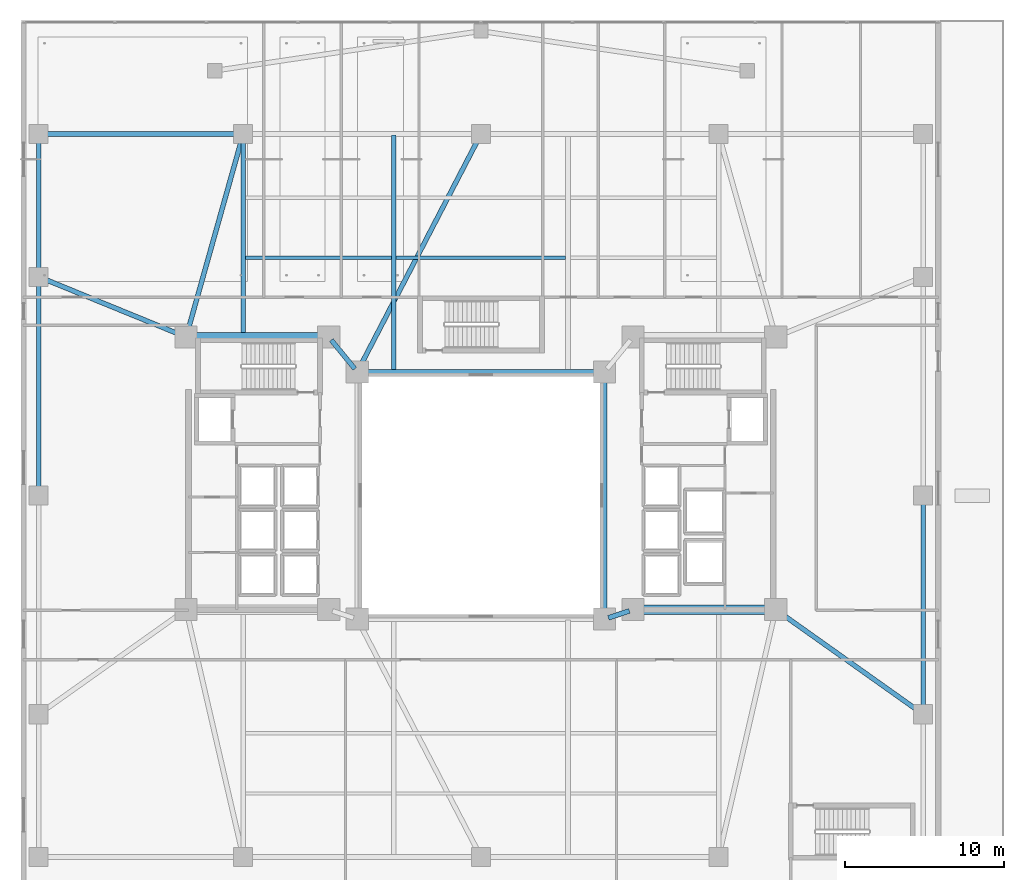
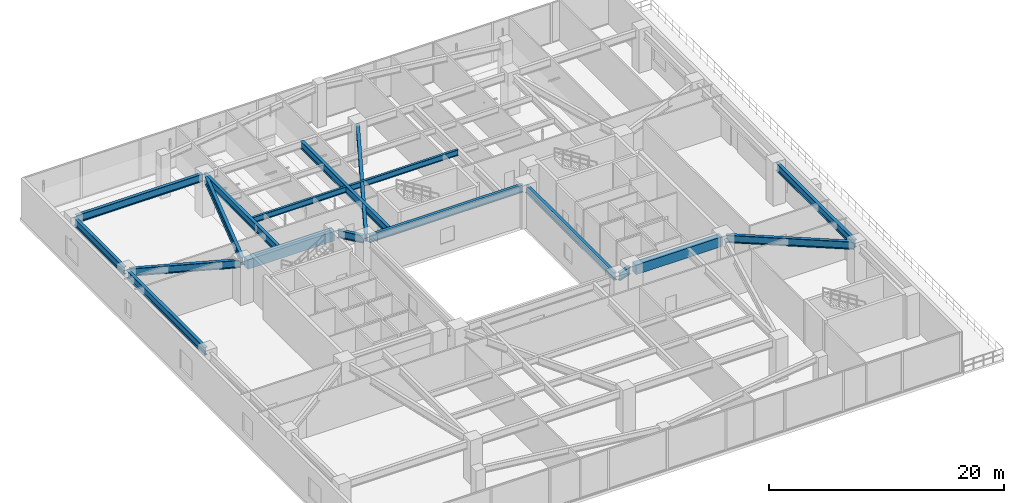
# One storey, part 9 of 27: 18 beams.
"""IFC4 building model written with IfcOpenShell, lengths in metres."""

from ifc_helpers import new_model, si_unit, direction, frame, origin, origin_2d, place, context, subcontext, project, spatial, rectangle, i_section, extrude, material, material_profile, profile_set, type_object, element, save


model = new_model("IFC4")

# Units and contexts
model_context = context("Model", 3, precision=1e-05, world=origin(), true_north=direction((0.0, 1.0)))
body_context = subcontext(model_context, "Body", "Model", "MODEL_VIEW")
ifc_project = project(units=[si_unit("LENGTHUNIT", "METRE"), si_unit("AREAUNIT", "SQUARE_METRE"), si_unit("VOLUMEUNIT", "CUBIC_METRE"), si_unit("PLANEANGLEUNIT", "RADIAN"), si_unit("MASSUNIT", "GRAM", prefix="KILO")], contexts=[model_context])

# Site, building, storey
site_placement = place(None, origin())
site = spatial("IfcSite", under=ifc_project, at=site_placement, CompositionType="ELEMENT")
building_placement = place(site_placement, origin())
building = spatial("IfcBuilding", under=site, at=building_placement, Name="Tarnavaz Court Tower", CompositionType="ELEMENT")
storey_placement = place(building_placement, frame((0.0, 0.0, 9.89990234375)))
storey = spatial("IfcBuildingStorey", under=building, at=storey_placement, Name="L02", CompositionType="ELEMENT", Elevation=9.89990234375)

# Beams
ifc_material_1 = material(Name="Concrete C60/75", Category="concrete")
ifc_material_profile_1 = material_profile(ifc_material_1, rectangle(XDim=0.60009765625, YDim=1.0, at=origin_2d()), Name="RC 600X1000")
ifc_profile_set_1 = profile_set([ifc_material_profile_1], Name="Concrete C60/75")
beam_type_1 = type_object("IfcBeamType", Name="BM-CB1000", PredefinedType="LINTEL", material=ifc_profile_set_1)
for number, where, z_axis, x_axis, name in (
    (1, (-18.35009765625, 10.0, 3.7001953125), (1.0, 0.0, 0.0), (0.0, 1.0, 0.0), "L02 Beam CW-NO-CW-NI"),
    (2, (18.35009765625, -7.199951171875, 3.7001953125), (-1.0, 0.0, 0.0), (0.0, -1.0, 0.0), "L02 Beam CE-SO-CE-SI"),
):
    element("IfcBeam", number, at=place(storey_placement, frame(where, z_axis=z_axis, x_axis=x_axis)), inside=storey, type_object=beam_type_1, Name=name, PredefinedType="LINTEL", context=body_context, shape_type="SweptSolid", body=[
        extrude(rectangle(XDim=0.60009765625, YDim=1.0, at=origin_2d()), origin(), (0.0, 0.0, 1.0), 8.5),
    ])
ifc_material_2 = material(Name="Steel S355", Category="steel")
ifc_material_profile_2 = material_profile(ifc_material_2, i_section(OverallWidth=0.300048828125, OverallDepth=0.800048828125, WebThickness=0.017578125, FlangeThickness=0.032958984375, FilletRadius=0.030029296875, at=origin_2d()), Name="HEB 800")
ifc_profile_set_2 = profile_set([ifc_material_profile_2], Name="Steel S355")
beam_type_2 = type_object("IfcBeamType", Name="BM-G-HEB800", PredefinedType="USERDEFINED", material=ifc_profile_set_2)
for number, where, z_axis, x_axis, name in (
    (3, (-7.550048828125, 7.800048828125, 3.800048828125), (1.0, 0.0, 0.0), (0.0, 1.0, 0.0), "L02 Beam IW-NW-IW-NE"),
    (4, (7.800048828125, -7.550048828125, 3.800048828125), (0.0, 1.0, 0.0), (-1.0, 0.0, 0.0), "L02 Beam IW-SE-IW-NE"),
):
    element("IfcBeam", number, at=place(storey_placement, frame(where, z_axis=z_axis, x_axis=x_axis)), inside=storey, type_object=beam_type_2, Name=name, ObjectType="GIRDER", PredefinedType="USERDEFINED", context=body_context, shape_type="SweptSolid", body=[
        extrude(i_section(OverallWidth=0.300048828125, OverallDepth=0.800048828125, WebThickness=0.017578125, FlangeThickness=0.032958984375, FilletRadius=0.030029296875, at=origin_2d()), origin(), (0.0, 0.0, 1.0), 15.10009765625),
    ])
beam_1_placement = place(storey_placement, frame((9.36279296875, -7.279052734375, 3.800048828125), z_axis=(-0.948683298051, -0.316227766017, 0.0), x_axis=(0.316227766017, -0.948683298051, 0.0)))
element("IfcBeam", 5, at=beam_1_placement, inside=storey, type_object=beam_type_2, Name="L02 Beam CE-SI-IW-SE", ObjectType="GIRDER", PredefinedType="USERDEFINED", context=body_context, shape_type="SweptSolid", body=[
    extrude(i_section(OverallWidth=0.300048828125, OverallDepth=0.800048828125, WebThickness=0.017578125, FlangeThickness=0.032958984375, FilletRadius=0.030029296875, at=origin_2d()), origin(), (0.0, 0.0, 1.0), 1.3974609375),
])
beam_2_placement = place(storey_placement, frame((-9.441650390625, 9.806396484375, 3.800048828125), z_axis=(0.633249141033, -0.773948012066, 0.0), x_axis=(0.773948012066, 0.633249141033, 0.0)))
element("IfcBeam", 6, at=beam_2_placement, inside=storey, type_object=beam_type_2, Name="L02 Beam CW-NI-IW-NW", ObjectType="GIRDER", PredefinedType="USERDEFINED", context=body_context, shape_type="SweptSolid", body=[
    extrude(i_section(OverallWidth=0.300048828125, OverallDepth=0.800048828125, WebThickness=0.017578125, FlangeThickness=0.032958984375, FilletRadius=0.030029296875, at=origin_2d()), origin(), (0.0, 0.0, 1.0), 2.342529296875),
])
beam_3_placement = place(storey_placement, frame((-27.64990234375, 22.800048828125, 3.800048828125), z_axis=(1.0, 0.0, 0.0), x_axis=(0.0, 1.0, 0.0)))
element("IfcBeam", 7, at=beam_3_placement, inside=storey, type_object=beam_type_2, Name="L02 Beam PM-PM-NW-PM-N1", ObjectType="GIRDER", PredefinedType="USERDEFINED", context=body_context, shape_type="SweptSolid", body=[
    extrude(i_section(OverallWidth=0.300048828125, OverallDepth=0.800048828125, WebThickness=0.017578125, FlangeThickness=0.032958984375, FilletRadius=0.030029296875, at=origin_2d()), origin(), (0.0, 0.0, 1.0), 12.39990234375),
])
beam_4_placement = place(storey_placement, frame((-27.89990234375, 0.25, 3.800048828125), z_axis=(0.0, 1.0, 0.0), x_axis=(-1.0, 0.0, 0.0)))
element("IfcBeam", 8, at=beam_4_placement, inside=storey, type_object=beam_type_2, Name="L02 Beam PM-PM-W2-PM-W3", ObjectType="GIRDER", PredefinedType="USERDEFINED", context=body_context, shape_type="SweptSolid", body=[
    extrude(i_section(OverallWidth=0.300048828125, OverallDepth=0.800048828125, WebThickness=0.017578125, FlangeThickness=0.032958984375, FilletRadius=0.030029296875, at=origin_2d()), origin(), (0.0, 0.0, 1.0), 13.300048828125),
])
beam_5_placement = place(storey_placement, frame((-27.89990234375, 14.050048828125, 3.800048828125), z_axis=(0.0, 1.0, 0.0), x_axis=(-1.0, 0.0, 0.0)))
element("IfcBeam", 9, at=beam_5_placement, inside=storey, type_object=beam_type_2, Name="L02 Beam PM-PM-W3-PM-NW", ObjectType="GIRDER", PredefinedType="USERDEFINED", context=body_context, shape_type="SweptSolid", body=[
    extrude(i_section(OverallWidth=0.300048828125, OverallDepth=0.800048828125, WebThickness=0.017578125, FlangeThickness=0.032958984375, FilletRadius=0.030029296875, at=origin_2d()), origin(), (0.0, 0.0, 1.0), 8.5),
])
beam_6_placement = place(storey_placement, frame((27.89990234375, -13.550048828125, 3.800048828125), z_axis=(0.0, 1.0, 0.0), x_axis=(-1.0, 0.0, 0.0)))
element("IfcBeam", 10, at=beam_6_placement, inside=storey, type_object=beam_type_2, Name="L02 Beam PM-PM-E1-PM-E2", ObjectType="GIRDER", PredefinedType="USERDEFINED", context=body_context, shape_type="SweptSolid", body=[
    extrude(i_section(OverallWidth=0.300048828125, OverallDepth=0.800048828125, WebThickness=0.017578125, FlangeThickness=0.032958984375, FilletRadius=0.030029296875, at=origin_2d()), origin(), (0.0, 0.0, 1.0), 13.300048828125),
])
beam_7_placement = place(storey_placement, frame((-18.5322265625, 10.24072265625, 3.800048828125), z_axis=(0.270745024415, 0.962651095545, 0.0), x_axis=(-0.962651095545, 0.270745024415, 0.0)))
element("IfcBeam", 11, at=beam_7_placement, inside=storey, type_object=beam_type_2, Name="L02 Beam PM-CW-NO-PM-N1", ObjectType="GIRDER", PredefinedType="USERDEFINED", context=body_context, shape_type="SweptSolid", body=[
    extrude(i_section(OverallWidth=0.300048828125, OverallDepth=0.800048828125, WebThickness=0.017578125, FlangeThickness=0.032958984375, FilletRadius=0.030029296875, at=origin_2d()), origin(), (0.0, 0.0, 1.0), 12.796630859375),
])
beam_8_placement = place(storey_placement, frame((-7.684814453125, 8.021728515625, 3.800048828125), z_axis=(0.461364918236, 0.887210466699, 0.0), x_axis=(-0.887210466699, 0.461364918236, 0.0)))
element("IfcBeam", 12, at=beam_8_placement, inside=storey, type_object=beam_type_2, Name="L02 Beam PM-IW-NW-PM-N2", ObjectType="GIRDER", PredefinedType="USERDEFINED", context=body_context, shape_type="SweptSolid", body=[
    extrude(i_section(OverallWidth=0.300048828125, OverallDepth=0.800048828125, WebThickness=0.017578125, FlangeThickness=0.032958984375, FilletRadius=0.030029296875, at=origin_2d()), origin(), (0.0, 0.0, 1.0), 16.406982421875),
])
beam_9_placement = place(storey_placement, frame((-18.831298828125, 10.094482421875, 3.800048828125), z_axis=(-0.925710630755, 0.378232505356, 0.0), x_axis=(-0.378232505356, -0.925710630755, 0.0)))
element("IfcBeam", 13, at=beam_9_placement, inside=storey, type_object=beam_type_2, Name="L02 Beam PM-CW-NO-PM-W3", ObjectType="GIRDER", PredefinedType="USERDEFINED", context=body_context, shape_type="SweptSolid", body=[
    extrude(i_section(OverallWidth=0.300048828125, OverallDepth=0.800048828125, WebThickness=0.017578125, FlangeThickness=0.032958984375, FilletRadius=0.030029296875, at=origin_2d()), origin(), (0.0, 0.0, 1.0), 9.546630859375),
])
beam_10_placement = place(storey_placement, frame((18.803955078125, -7.3447265625, 3.800048828125), z_axis=(0.815505781161, -0.578748927336, 0.0), x_axis=(0.578748927336, 0.815505781161, 0.0)))
element("IfcBeam", 14, at=beam_10_placement, inside=storey, type_object=beam_type_2, Name="L02 Beam PM-CE-SO-PM-E1", ObjectType="GIRDER", PredefinedType="USERDEFINED", context=body_context, shape_type="SweptSolid", body=[
    extrude(i_section(OverallWidth=0.300048828125, OverallDepth=0.800048828125, WebThickness=0.017578125, FlangeThickness=0.032958984375, FilletRadius=0.030029296875, at=origin_2d()), origin(), (0.0, 0.0, 1.0), 10.90380859375),
])
beam_11_placement = place(storey_placement, frame((-15.0, 10.0400390625, 3.800048828125), z_axis=(0.0, 1.0, 0.0), x_axis=(-1.0, 0.0, 0.0)))
element("IfcBeam", 15, at=beam_11_placement, inside=storey, type_object=beam_type_2, Name="L02 Beam PM-NS-NW", ObjectType="GIRDER", PredefinedType="USERDEFINED", context=body_context, shape_type="SweptSolid", body=[
    extrude(i_section(OverallWidth=0.300048828125, OverallDepth=0.800048828125, WebThickness=0.017578125, FlangeThickness=0.032958984375, FilletRadius=0.030029296875, at=origin_2d()), origin(), (0.0, 0.0, 1.0), 12.719970703125),
])
beam_12_placement = place(storey_placement, frame((-5.5, 7.840087890625, 3.800048828125), z_axis=(0.0, 1.0, 0.0), x_axis=(-1.0, 0.0, 0.0)))
element("IfcBeam", 16, at=beam_12_placement, inside=storey, type_object=beam_type_2, Name="L02 Beam PM-NS-NCW", ObjectType="GIRDER", PredefinedType="USERDEFINED", context=body_context, shape_type="SweptSolid", body=[
    extrude(i_section(OverallWidth=0.300048828125, OverallDepth=0.800048828125, WebThickness=0.017578125, FlangeThickness=0.032958984375, FilletRadius=0.030029296875, at=origin_2d()), origin(), (0.0, 0.0, 1.0), 14.919921875),
])
ifc_material_profile_3 = material_profile(ifc_material_2, i_section(OverallWidth=0.219970703125, OverallDepth=0.60009765625, WebThickness=0.011962890625, FlangeThickness=0.01904296875, FilletRadius=0.02392578125, at=origin_2d()), Name="IPE 600")
ifc_profile_set_3 = profile_set([ifc_material_profile_3], Name="Steel S355")
beam_type_3 = type_object("IfcBeamType", Name="BM-J-IPE600", PredefinedType="JOIST", material=ifc_profile_set_3)
beam_13_placement = place(storey_placement, frame((-14.85009765625, 15.0, 3.900146484375), z_axis=(1.0, 0.0, 0.0), x_axis=(0.0, 1.0, 0.0)))
element("IfcBeam", 17, at=beam_13_placement, inside=storey, type_object=beam_type_3, Name="L02 Beam PJN-1-1", PredefinedType="JOIST", context=body_context, shape_type="SweptSolid", body=[
    extrude(i_section(OverallWidth=0.219970703125, OverallDepth=0.60009765625, WebThickness=0.011962890625, FlangeThickness=0.01904296875, FilletRadius=0.02392578125, at=origin_2d()), origin(), (0.0, 0.0, 1.0), 9.2001953125),
])
beam_14_placement = place(storey_placement, frame((-5.35009765625, 15.0, 3.900146484375), z_axis=(1.0, 0.0, 0.0), x_axis=(0.0, 1.0, 0.0)))
element("IfcBeam", 18, at=beam_14_placement, inside=storey, type_object=beam_type_3, Name="L02 Beam PJN-1-2", PredefinedType="JOIST", context=body_context, shape_type="SweptSolid", body=[
    extrude(i_section(OverallWidth=0.219970703125, OverallDepth=0.60009765625, WebThickness=0.011962890625, FlangeThickness=0.01904296875, FilletRadius=0.02392578125, at=origin_2d()), origin(), (0.0, 0.0, 1.0), 10.7001953125),
])

save(model, "model.ifc")
